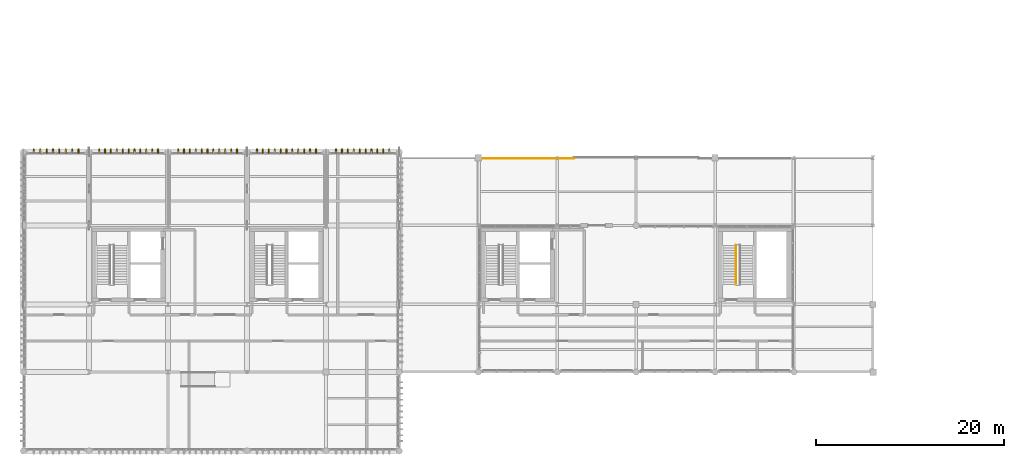
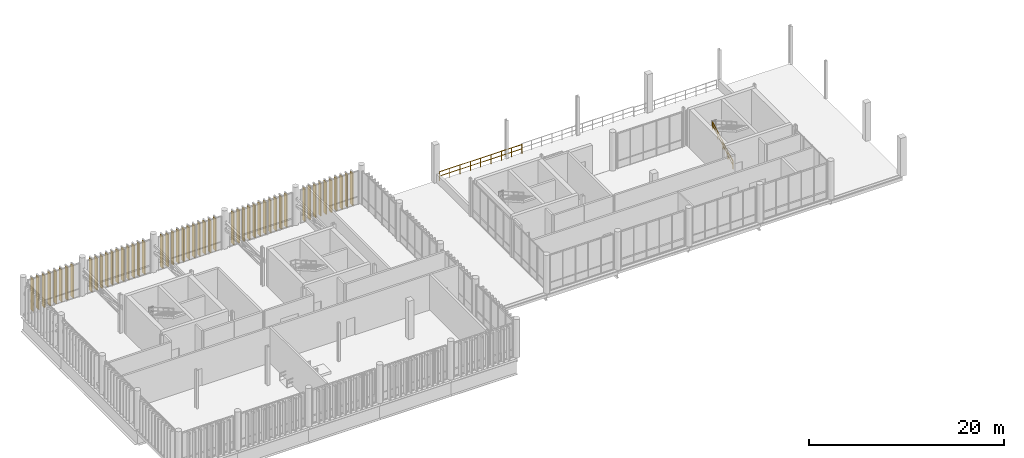
# One storey, part 77 of 81: 51 coverings, 2 railings.
"""IFC4 building model written with IfcOpenShell, lengths in metres."""

from ifc_helpers import new_model, si_unit, direction, frame, frame_2d, origin_with_axes, origin_2d_with_axis, place, context, subcontext, project, spatial, rectangle, circle, extrude, material, type_object, element, save


model = new_model("IFC4")

# Units and contexts
model_context = context("Model", 3, precision=1e-05, world=origin_with_axes(), true_north=direction((0.0, 1.0)))
body_context = subcontext(model_context, "Body", "Model", "MODEL_VIEW")
ifc_project = project(units=[si_unit("LENGTHUNIT", "METRE"), si_unit("AREAUNIT", "SQUARE_METRE"), si_unit("VOLUMEUNIT", "CUBIC_METRE"), si_unit("PLANEANGLEUNIT", "RADIAN"), si_unit("MASSUNIT", "GRAM", prefix="KILO"), si_unit("THERMODYNAMICTEMPERATUREUNIT", "KELVIN")], contexts=[model_context])

# Site, building, storey
site_placement = place(None, origin_with_axes())
site = spatial("IfcSite", under=ifc_project, at=site_placement, CompositionType="ELEMENT")
building_placement = place(site_placement, origin_with_axes())
building = spatial("IfcBuilding", under=site, at=building_placement, Name="Montbau Bow Law Courts", CompositionType="ELEMENT")
storey_placement = place(building_placement, frame((0.0, 0.0, 24.9), z_axis=(0.0, 0.0, 1.0), x_axis=(1.0, 0.0, 0.0)))
storey = spatial("IfcBuildingStorey", under=building, at=storey_placement, Name="L05", CompositionType="ELEMENT", Elevation=24.9)

# Coverings
ifc_material_1 = material(Name="Freeze-Thaw Glazed Terracotta-Red Ceramic Vertical Louvre", Category="masonry")
covering_type = type_object("IfcCoveringType", Name="CV-LVR-RED", PredefinedType="CLADDING", material=ifc_material_1)
for number, where, z_axis, x_axis, name in (
    (1, (7.92, 62.27, 24.9), (1.0, 0.0, 0.0), (0.0, 1.0, 0.0), "CLV-L05-0659:cov_0704"),
    (2, (8.6, 62.27, 24.9), (1.0, 0.0, 0.0), (0.0, 1.0, 0.0), "CLV-L05-0660:cov_0705"),
    (3, (9.28, 62.27, 24.9), (1.0, 0.0, 0.0), (0.0, 1.0, 0.0), "CLV-L05-0661:cov_0706"),
    (4, (9.96, 62.27, 24.9), (1.0, 0.0, 0.0), (0.0, 1.0, 0.0), "CLV-L05-0662:cov_0707"),
    (5, (10.64, 62.27, 24.9), (1.0, 0.0, 0.0), (0.0, 1.0, 0.0), "CLV-L05-0663:cov_0708"),
    (6, (11.32, 62.27, 24.9), (1.0, 0.0, 0.0), (0.0, 1.0, 0.0), "CLV-L05-0664:cov_0709"),
    (7, (12.0, 62.27, 24.9), (1.0, 0.0, 0.0), (0.0, 1.0, 0.0), "CLV-L05-0665:cov_0710"),
    (8, (12.68, 62.27, 24.9), (1.0, 0.0, 0.0), (0.0, 1.0, 0.0), "CLV-L05-0666:cov_0711"),
    (9, (14.867, 62.27, 24.9), (1.0, 0.0, 0.0), (0.0, 1.0, 0.0), "CLV-L05-0667:cov_0712"),
    (10, (15.493, 62.27, 24.9), (1.0, 0.0, 0.0), (0.0, 1.0, 0.0), "CLV-L05-0668:cov_0713"),
    (11, (16.12, 62.27, 24.9), (1.0, 0.0, 0.0), (0.0, 1.0, 0.0), "CLV-L05-0669:cov_0714"),
    (12, (16.747, 62.27, 24.9), (1.0, 0.0, 0.0), (0.0, 1.0, 0.0), "CLV-L05-0670:cov_0715"),
    (13, (17.373, 62.27, 24.9), (1.0, 0.0, 0.0), (0.0, 1.0, 0.0), "CLV-L05-0671:cov_0716"),
    (14, (18.0, 62.27, 24.9), (1.0, 0.0, 0.0), (0.0, 1.0, 0.0), "CLV-L05-0672:cov_0717"),
    (15, (18.627, 62.27, 24.9), (1.0, 0.0, 0.0), (0.0, 1.0, 0.0), "CLV-L05-0673:cov_0718"),
    (16, (19.253, 62.27, 24.9), (1.0, 0.0, 0.0), (0.0, 1.0, 0.0), "CLV-L05-0674:cov_0719"),
    (17, (19.88, 62.27, 24.9), (1.0, 0.0, 0.0), (0.0, 1.0, 0.0), "CLV-L05-0675:cov_0720"),
    (18, (20.507, 62.27, 24.9), (1.0, 0.0, 0.0), (0.0, 1.0, 0.0), "CLV-L05-0676:cov_0721"),
    (19, (21.133, 62.27, 24.9), (1.0, 0.0, 0.0), (0.0, 1.0, 0.0), "CLV-L05-0677:cov_0722"),
    (20, (23.267, 62.27, 24.9), (1.0, 0.0, 0.0), (0.0, 1.0, 0.0), "CLV-L05-0678:cov_0723"),
    (21, (23.893, 62.27, 24.9), (1.0, 0.0, 0.0), (0.0, 1.0, 0.0), "CLV-L05-0679:cov_0724"),
    (22, (24.52, 62.27, 24.9), (1.0, 0.0, 0.0), (0.0, 1.0, 0.0), "CLV-L05-0680:cov_0725"),
    (23, (25.147, 62.27, 24.9), (1.0, 0.0, 0.0), (0.0, 1.0, 0.0), "CLV-L05-0681:cov_0726"),
    (24, (25.773, 62.27, 24.9), (1.0, 0.0, 0.0), (0.0, 1.0, 0.0), "CLV-L05-0682:cov_0727"),
    (25, (26.4, 62.27, 24.9), (1.0, 0.0, 0.0), (0.0, 1.0, 0.0), "CLV-L05-0683:cov_0728"),
    (26, (27.027, 62.27, 24.9), (1.0, 0.0, 0.0), (0.0, 1.0, 0.0), "CLV-L05-0684:cov_0729"),
    (27, (27.653, 62.27, 24.9), (1.0, 0.0, 0.0), (0.0, 1.0, 0.0), "CLV-L05-0685:cov_0730"),
    (28, (28.28, 62.27, 24.9), (1.0, 0.0, 0.0), (0.0, 1.0, 0.0), "CLV-L05-0686:cov_0731"),
    (29, (28.907, 62.27, 24.9), (1.0, 0.0, 0.0), (0.0, 1.0, 0.0), "CLV-L05-0687:cov_0732"),
    (30, (29.533, 62.27, 24.9), (1.0, 0.0, 0.0), (0.0, 1.0, 0.0), "CLV-L05-0688:cov_0733"),
    (31, (31.667, 62.27, 24.9), (1.0, 0.0, 0.0), (0.0, 1.0, 0.0), "CLV-L05-0689:cov_0734"),
    (32, (32.293, 62.27, 24.9), (1.0, 0.0, 0.0), (0.0, 1.0, 0.0), "CLV-L05-0690:cov_0735"),
    (33, (32.92, 62.27, 24.9), (1.0, 0.0, 0.0), (0.0, 1.0, 0.0), "CLV-L05-0691:cov_0736"),
    (34, (33.547, 62.27, 24.9), (1.0, 0.0, 0.0), (0.0, 1.0, 0.0), "CLV-L05-0692:cov_0737"),
    (35, (34.173, 62.27, 24.9), (1.0, 0.0, 0.0), (0.0, 1.0, 0.0), "CLV-L05-0693:cov_0738"),
    (36, (34.8, 62.27, 24.9), (1.0, 0.0, 0.0), (0.0, 1.0, 0.0), "CLV-L05-0694:cov_0739"),
    (37, (35.427, 62.27, 24.9), (1.0, 0.0, 0.0), (0.0, 1.0, 0.0), "CLV-L05-0695:cov_0740"),
    (38, (36.053, 62.27, 24.9), (1.0, 0.0, 0.0), (0.0, 1.0, 0.0), "CLV-L05-0696:cov_0741"),
    (39, (36.68, 62.27, 24.9), (1.0, 0.0, 0.0), (0.0, 1.0, 0.0), "CLV-L05-0697:cov_0742"),
    (40, (37.307, 62.27, 24.9), (1.0, 0.0, 0.0), (0.0, 1.0, 0.0), "CLV-L05-0698:cov_0743"),
    (41, (37.933, 62.27, 24.9), (1.0, 0.0, 0.0), (0.0, 1.0, 0.0), "CLV-L05-0699:cov_0744"),
    (42, (40.069, 62.27, 24.9), (1.0, 0.0, 0.0), (0.0, 1.0, 0.0), "CLV-L05-0700:cov_0745"),
    (43, (40.698, 62.27, 24.9), (1.0, 0.0, 0.0), (0.0, 1.0, 0.0), "CLV-L05-0701:cov_0746"),
    (44, (41.327, 62.27, 24.9), (1.0, 0.0, 0.0), (0.0, 1.0, 0.0), "CLV-L05-0702:cov_0747"),
    (45, (41.956, 62.27, 24.9), (1.0, 0.0, 0.0), (0.0, 1.0, 0.0), "CLV-L05-0703:cov_0748"),
    (46, (42.585, 62.27, 24.9), (1.0, 0.0, 0.0), (0.0, 1.0, 0.0), "CLV-L05-0704:cov_0749"),
    (47, (43.215, 62.27, 24.9), (1.0, 0.0, 0.0), (0.0, 1.0, 0.0), "CLV-L05-0705:cov_0750"),
    (48, (43.844, 62.27, 24.9), (1.0, 0.0, 0.0), (0.0, 1.0, 0.0), "CLV-L05-0706:cov_0751"),
    (49, (44.473, 62.27, 24.9), (1.0, 0.0, 0.0), (0.0, 1.0, 0.0), "CLV-L05-0707:cov_0752"),
    (50, (45.102, 62.27, 24.9), (1.0, 0.0, 0.0), (0.0, 1.0, 0.0), "CLV-L05-0708:cov_0753"),
    (51, (45.731, 62.27, 24.9), (1.0, 0.0, 0.0), (0.0, 1.0, 0.0), "CLV-L05-0709:cov_0754"),
):
    element("IfcCovering", number, at=place(None, frame(where, z_axis=z_axis, x_axis=x_axis)), inside=storey, type_object=covering_type, Name=name, PredefinedType="CLADDING", context=body_context, shape_type="SweptSolid", body=[
        extrude(rectangle(XDim=0.48, YDim=4.04, at=frame_2d((0.24, 2.02), x_axis=(1.0, 0.0))), frame((0.0, 0.0, -0.06), z_axis=(0.0, 0.0, 1.0), x_axis=(1.0, 0.0, 0.0)), (0.0, 0.0, 1.0), 0.12),
    ])

# Railings
ifc_material_2 = material(Name="Brushed Stainless Steel AISI 316L Guardrail", Category="steel")
railing_type_1 = type_object("IfcRailingType", Name="RL-GRD-1120", PredefinedType="GUARDRAIL", material=ifc_material_2)
railing_1_placement = place(None, origin_with_axes())
element("IfcRailing", 52, at=railing_1_placement, inside=storey, type_object=railing_type_1, Name="GRD-TER-L05-V3-2:rlg_0017", PredefinedType="GUARDRAIL", context=body_context, shape_type="SweptSolid", body=[
    extrude(circle(Radius=0.025, at=origin_2d_with_axis()), frame((55.616, 61.7, 26.022), z_axis=(1.0, 0.0, 0.0), x_axis=(0.0, 0.0, 1.0)), (0.0, 0.0, 1.0), 9.764),
    extrude(circle(Radius=0.022500000000000003, at=origin_2d_with_axis()), frame((55.616, 61.7, 25.4824), z_axis=(1.0, 0.0, 0.0), x_axis=(0.0, 0.0, 1.0)), (0.0, 0.0, 1.0), 9.764),
    extrude(circle(Radius=0.022500000000000003, at=origin_2d_with_axis()), frame((55.616, 61.7, 24.9), z_axis=(0.0, 0.0, 1.0), x_axis=(1.0, 0.0, 0.0)), (0.0, 0.0, 1.0), 1.0925),
    extrude(circle(Radius=0.022500000000000003, at=origin_2d_with_axis()), frame((56.8365, 61.7, 24.9), z_axis=(0.0, 0.0, 1.0), x_axis=(1.0, 0.0, 0.0)), (0.0, 0.0, 1.0), 1.0925),
    extrude(circle(Radius=0.022500000000000003, at=origin_2d_with_axis()), frame((58.057, 61.7, 24.9), z_axis=(0.0, 0.0, 1.0), x_axis=(1.0, 0.0, 0.0)), (0.0, 0.0, 1.0), 1.0925),
    extrude(circle(Radius=0.022500000000000003, at=origin_2d_with_axis()), frame((59.2775, 61.7, 24.9), z_axis=(0.0, 0.0, 1.0), x_axis=(1.0, 0.0, 0.0)), (0.0, 0.0, 1.0), 1.0925),
    extrude(circle(Radius=0.022500000000000003, at=origin_2d_with_axis()), frame((60.498, 61.7, 24.9), z_axis=(0.0, 0.0, 1.0), x_axis=(1.0, 0.0, 0.0)), (0.0, 0.0, 1.0), 1.0925),
    extrude(circle(Radius=0.022500000000000003, at=origin_2d_with_axis()), frame((61.7185, 61.7, 24.9), z_axis=(0.0, 0.0, 1.0), x_axis=(1.0, 0.0, 0.0)), (0.0, 0.0, 1.0), 1.0925),
    extrude(circle(Radius=0.022500000000000003, at=origin_2d_with_axis()), frame((62.939, 61.7, 24.9), z_axis=(0.0, 0.0, 1.0), x_axis=(1.0, 0.0, 0.0)), (0.0, 0.0, 1.0), 1.0925),
    extrude(circle(Radius=0.022500000000000003, at=origin_2d_with_axis()), frame((64.1595, 61.7, 24.9), z_axis=(0.0, 0.0, 1.0), x_axis=(1.0, 0.0, 0.0)), (0.0, 0.0, 1.0), 1.0925),
    extrude(circle(Radius=0.022500000000000003, at=origin_2d_with_axis()), frame((65.38, 61.7, 24.9), z_axis=(0.0, 0.0, 1.0), x_axis=(1.0, 0.0, 0.0)), (0.0, 0.0, 1.0), 1.0925),
])
ifc_material_3 = material(Name="White-Oak and Stainless Continuous Stair Handrail", Category="steel")
railing_type_2 = type_object("IfcRailingType", Name="RL-HND-0920", PredefinedType="HANDRAIL", material=ifc_material_3)
railing_2_placement = place(None, origin_with_axes())
element("IfcRailing", 53, at=railing_2_placement, inside=storey, type_object=railing_type_2, Name="HR-ST-P3-L05-1:rlg_0154", PredefinedType="HANDRAIL", context=body_context, shape_type="SweptSolid", body=[
    extrude(circle(Radius=0.021, at=origin_2d_with_axis()), frame((82.61, 48.3, 25.982), z_axis=(0.0, 0.868243142, 0.496138938), x_axis=(0.0, -0.496138938, 0.868243142)), (0.0, 0.0, 1.0), 4.837355),
    extrude(circle(Radius=0.0189, at=origin_2d_with_axis()), frame((82.61, 48.3, 25.5384), z_axis=(0.0, 0.868243142, 0.496138938), x_axis=(0.0, -0.496138938, 0.868243142)), (0.0, 0.0, 1.0), 4.837355),
    extrude(circle(Radius=0.0189, at=origin_2d_with_axis()), frame((82.61, 48.3, 25.06), z_axis=(0.0, 0.0, 1.0), x_axis=(1.0, 0.0, 0.0)), (0.0, 0.0, 1.0), 0.8969),
    extrude(circle(Radius=0.0189, at=origin_2d_with_axis()), frame((82.61, 49.35, 25.66), z_axis=(0.0, 0.0, 1.0), x_axis=(1.0, 0.0, 0.0)), (0.0, 0.0, 1.0), 0.8969),
    extrude(circle(Radius=0.0189, at=origin_2d_with_axis()), frame((82.61, 50.4, 26.26), z_axis=(0.0, 0.0, 1.0), x_axis=(1.0, 0.0, 0.0)), (0.0, 0.0, 1.0), 0.8969),
    extrude(circle(Radius=0.0189, at=origin_2d_with_axis()), frame((82.61, 51.45, 26.86), z_axis=(0.0, 0.0, 1.0), x_axis=(1.0, 0.0, 0.0)), (0.0, 0.0, 1.0), 0.8969),
    extrude(circle(Radius=0.0189, at=origin_2d_with_axis()), frame((82.61, 52.5, 27.46), z_axis=(0.0, 0.0, 1.0), x_axis=(1.0, 0.0, 0.0)), (0.0, 0.0, 1.0), 0.8969),
])

save(model, "model.ifc")
